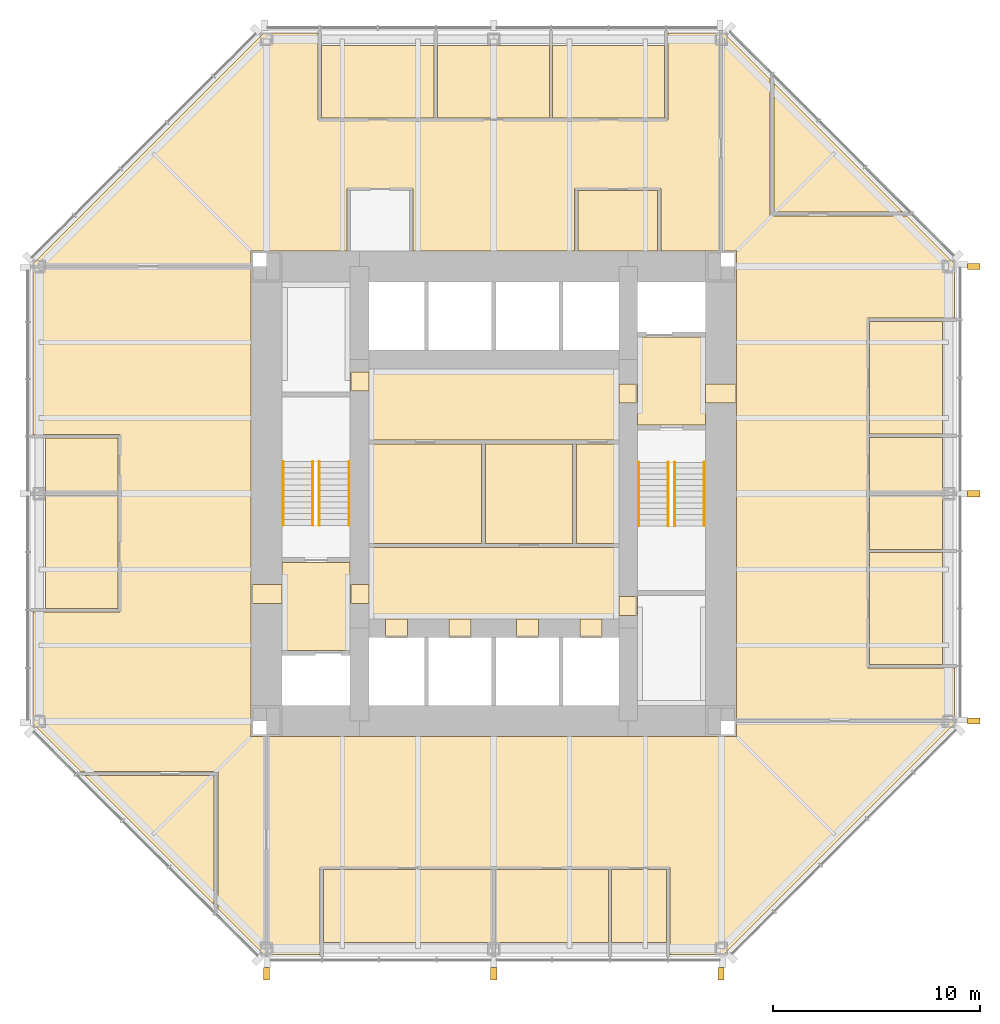
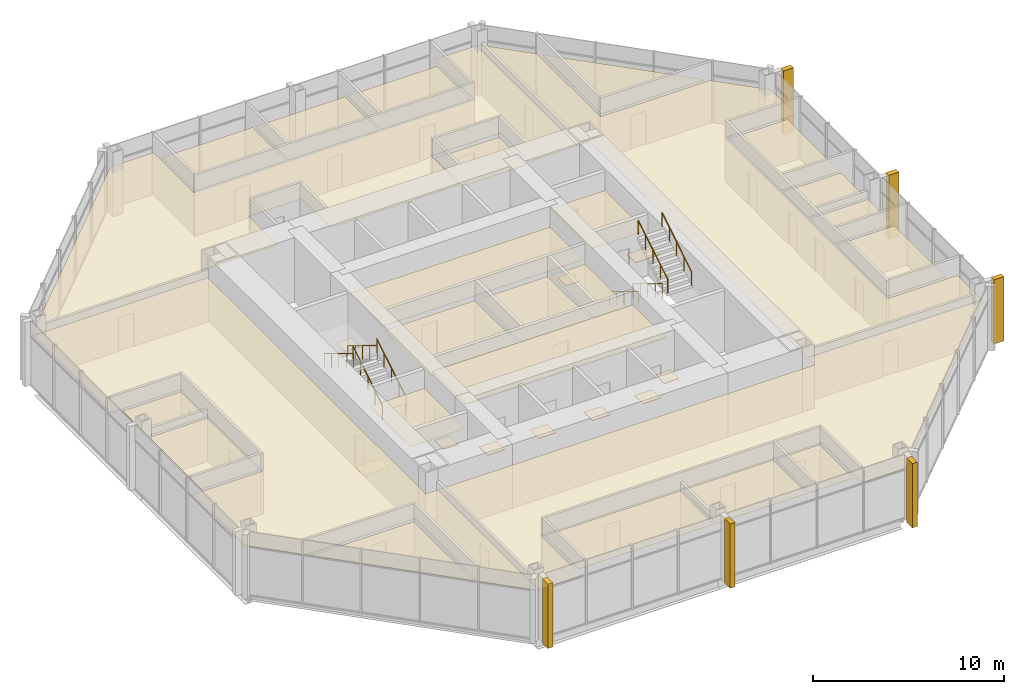
# One storey, part 12 of 12: 42 coverings, 8 railings.
"""IFC4 building model written with IfcOpenShell, lengths in metres."""

from ifc_helpers import new_model, si_unit, direction, frame, origin, origin_2d, place, context, subcontext, project, spatial, polyline, rectangle, circle, outline, extrude, material, layer, layer_set, type_object, element, save


model = new_model("IFC4")

# Units and contexts
model_context = context("Model", 3, precision=1e-05, world=origin(), true_north=direction((0.0, 1.0)))
body_context = subcontext(model_context, "Body", "Model", "MODEL_VIEW")
ifc_project = project(units=[si_unit("LENGTHUNIT", "METRE"), si_unit("AREAUNIT", "SQUARE_METRE"), si_unit("VOLUMEUNIT", "CUBIC_METRE"), si_unit("PLANEANGLEUNIT", "RADIAN"), si_unit("MASSUNIT", "GRAM", prefix="KILO")], contexts=[model_context])

# Site, building, storey
site_placement = place(None, origin())
site = spatial("IfcSite", under=ifc_project, at=site_placement, CompositionType="ELEMENT")
building_placement = place(site_placement, origin())
building = spatial("IfcBuilding", under=site, at=building_placement, Name="Trevanion Tower", CompositionType="ELEMENT")
storey_placement = place(building_placement, frame((0.0, 0.0, 154.10009765625)))
storey = spatial("IfcBuildingStorey", under=building, at=storey_placement, Name="L36", CompositionType="ELEMENT", Elevation=154.10009765625)

# Coverings
ifc_material_1 = material(Name="Fibrous plaster coffers on suspended steel grid", Category="steel")
ifc_layer_1 = layer(ifc_material_1, 0.050048828125)
ifc_layer_set_1 = layer_set([ifc_layer_1], Name="CL1 coffered fibrous plaster ceiling 50")
covering_type_1 = type_object("IfcCoveringType", Name="CL1 coffered fibrous plaster ceiling 50", PredefinedType="CEILING", material=ifc_layer_set_1)
covering_1_placement = place(storey_placement, frame((0.0, 0.0, 3.0)))
element("IfcCovering", 1, at=covering_1_placement, inside=storey, type_object=covering_type_1, Name="CL1 L36-LBS", PredefinedType="CEILING", context=body_context, shape_type="SweptSolid", body=[
    extrude(outline(polyline([(6.050048828125, -6.050048828125), (6.050048828125, -2.60009765625), (-6.050048828125, -2.60009765625), (-6.050048828125, -6.050048828125), (6.050048828125, -6.050048828125)])), origin(), (0.0, 0.0, 1.0), 0.0498046875),
])
ifc_material_2 = material(Name="Mineral fibre acoustic tiles in exposed grid", Category="mineral fibre")
ifc_layer_2 = layer(ifc_material_2, 0.02001953125)
ifc_layer_set_2 = layer_set([ifc_layer_2], Name="CL2 acoustic tile ceiling 20")
covering_type_2 = type_object("IfcCoveringType", Name="CL2 acoustic tile ceiling 20", PredefinedType="CEILING", material=ifc_layer_set_2)
covering_2_placement = place(storey_placement, frame((0.0, 0.0, 2.75)))
element("IfcCovering", 2, at=covering_2_placement, inside=storey, type_object=covering_type_2, Name="CL2 L36-LBN", PredefinedType="CEILING", context=body_context, shape_type="SweptSolid", body=[
    extrude(outline(polyline([(6.050048828125, 2.60009765625), (6.050048828125, 6.050048828125), (-6.050048828125, 6.050048828125), (-6.050048828125, 2.60009765625), (6.050048828125, 2.60009765625)])), origin(), (0.0, 0.0, 1.0), 0.02001953125),
])
covering_3_placement = place(storey_placement, frame((0.0, 0.0, 2.75)))
element("IfcCovering", 3, at=covering_3_placement, inside=storey, type_object=covering_type_2, Name="CL2 L36-MR", PredefinedType="CEILING", context=body_context, shape_type="SweptSolid", body=[
    extrude(outline(polyline([(13.549072265625, 19.875244140625), (19.783203125, 13.64111328125), (13.549072265625, 13.64111328125), (13.549072265625, 19.875244140625)])), origin(), (0.0, 0.0, 1.0), 0.02001953125),
])
covering_4_placement = place(storey_placement, frame((0.0, 0.0, 2.75)))
element("IfcCovering", 4, at=covering_4_placement, inside=storey, type_object=covering_type_2, Name="CL2 L36-MR2", PredefinedType="CEILING", context=body_context, shape_type="SweptSolid", body=[
    extrude(outline(polyline([(-13.549072265625, -19.875244140625), (-19.783203125, -13.64111328125), (-13.549072265625, -13.64111328125), (-13.549072265625, -19.875244140625)])), origin(), (0.0, 0.0, 1.0), 0.02001953125),
])
covering_5_placement = place(storey_placement, frame((0.0, 0.0, 2.75)))
element("IfcCovering", 5, at=covering_5_placement, inside=storey, type_object=covering_type_2, Name="CL2 L36-MR3", PredefinedType="CEILING", context=body_context, shape_type="SweptSolid", body=[
    extrude(outline(polyline([(8.248046875, 18.175048828125), (2.85009765625, 18.175048828125), (2.85009765625, 21.699951171875), (8.248046875, 21.699951171875), (8.248046875, 18.175048828125)])), origin(), (0.0, 0.0, 1.0), 0.02001953125),
])
covering_6_placement = place(storey_placement, frame((0.0, 0.0, 2.75)))
element("IfcCovering", 6, at=covering_6_placement, inside=storey, type_object=covering_type_2, Name="CL2 L36-MR4", PredefinedType="CEILING", context=body_context, shape_type="SweptSolid", body=[
    extrude(outline(polyline([(2.699951171875, 18.175048828125), (-2.73193359375, 18.175048828125), (-2.73193359375, 21.699951171875), (2.699951171875, 21.699951171875), (2.699951171875, 18.175048828125)])), origin(), (0.0, 0.0, 1.0), 0.02001953125),
])
covering_7_placement = place(storey_placement, frame((0.0, 0.0, 2.75)))
element("IfcCovering", 7, at=covering_7_placement, inside=storey, type_object=covering_type_2, Name="CL2 L36-MR5", PredefinedType="CEILING", context=body_context, shape_type="SweptSolid", body=[
    extrude(outline(polyline([(-2.882080078125, 18.175048828125), (-8.345947265625, 18.175048828125), (-8.345947265625, 21.699951171875), (-2.882080078125, 21.699951171875), (-2.882080078125, 18.175048828125)])), origin(), (0.0, 0.0, 1.0), 0.02001953125),
])
covering_8_placement = place(storey_placement, frame((0.0, 0.0, 2.75)))
element("IfcCovering", 8, at=covering_8_placement, inside=storey, type_object=covering_type_2, Name="CL2 L36-TR", PredefinedType="CEILING", context=body_context, shape_type="SweptSolid", body=[
    extrude(outline(polyline([(-8.248046875, -18.175048828125), (-0.074951171875, -18.175048828125), (-0.074951171875, -21.699951171875), (-8.248046875, -21.699951171875), (-8.248046875, -18.175048828125)])), origin(), (0.0, 0.0, 1.0), 0.02001953125),
])
covering_9_placement = place(storey_placement, frame((0.0, 0.0, 2.75)))
element("IfcCovering", 9, at=covering_9_placement, inside=storey, type_object=covering_type_2, Name="CL2 L36-MR6", PredefinedType="CEILING", context=body_context, shape_type="SweptSolid", body=[
    extrude(outline(polyline([(0.074951171875, -18.175048828125), (5.5390625, -18.175048828125), (5.5390625, -21.699951171875), (0.074951171875, -21.699951171875), (0.074951171875, -18.175048828125)])), origin(), (0.0, 0.0, 1.0), 0.02001953125),
])
covering_10_placement = place(storey_placement, frame((0.0, 0.0, 2.75)))
element("IfcCovering", 10, at=covering_10_placement, inside=storey, type_object=covering_type_2, Name="CL2 L36-FR", PredefinedType="CEILING", context=body_context, shape_type="SweptSolid", body=[
    extrude(outline(polyline([(5.68896484375, -18.175048828125), (8.345947265625, -18.175048828125), (8.345947265625, -21.699951171875), (5.68896484375, -21.699951171875), (5.68896484375, -18.175048828125)])), origin(), (0.0, 0.0, 1.0), 0.02001953125),
])
covering_11_placement = place(storey_placement, frame((0.0, 0.0, 2.75)))
element("IfcCovering", 11, at=covering_11_placement, inside=storey, type_object=covering_type_2, Name="CL2 L36-MR7", PredefinedType="CEILING", context=body_context, shape_type="SweptSolid", body=[
    extrude(outline(polyline([(18.175048828125, -8.248046875), (18.175048828125, -2.85009765625), (21.699951171875, -2.85009765625), (21.699951171875, -8.248046875), (18.175048828125, -8.248046875)])), origin(), (0.0, 0.0, 1.0), 0.02001953125),
])
covering_12_placement = place(storey_placement, frame((0.0, 0.0, 2.75)))
element("IfcCovering", 12, at=covering_12_placement, inside=storey, type_object=covering_type_2, Name="CL2 L36-OF", PredefinedType="CEILING", context=body_context, shape_type="SweptSolid", body=[
    extrude(outline(polyline([(18.175048828125, -2.699951171875), (18.175048828125, -0.074951171875), (21.699951171875, -0.074951171875), (21.699951171875, -2.699951171875), (18.175048828125, -2.699951171875)])), origin(), (0.0, 0.0, 1.0), 0.02001953125),
])
covering_13_placement = place(storey_placement, frame((0.0, 0.0, 2.75)))
element("IfcCovering", 13, at=covering_13_placement, inside=storey, type_object=covering_type_2, Name="CL2 L36-OF2", PredefinedType="CEILING", context=body_context, shape_type="SweptSolid", body=[
    extrude(outline(polyline([(18.175048828125, 0.074951171875), (18.175048828125, 2.73193359375), (21.699951171875, 2.73193359375), (21.699951171875, 0.074951171875), (18.175048828125, 0.074951171875)])), origin(), (0.0, 0.0, 1.0), 0.02001953125),
])
covering_14_placement = place(storey_placement, frame((0.0, 0.0, 2.75)))
element("IfcCovering", 14, at=covering_14_placement, inside=storey, type_object=covering_type_2, Name="CL2 L36-MR8", PredefinedType="CEILING", context=body_context, shape_type="SweptSolid", body=[
    extrude(outline(polyline([(18.175048828125, 2.882080078125), (18.175048828125, 8.345947265625), (21.699951171875, 8.345947265625), (21.699951171875, 2.882080078125), (18.175048828125, 2.882080078125)])), origin(), (0.0, 0.0, 1.0), 0.02001953125),
])
covering_15_placement = place(storey_placement, frame((0.0, 0.0, 2.75)))
element("IfcCovering", 15, at=covering_15_placement, inside=storey, type_object=covering_type_2, Name="CL2 L36-OF3", PredefinedType="CEILING", context=body_context, shape_type="SweptSolid", body=[
    extrude(outline(polyline([(-18.175048828125, 2.699951171875), (-18.175048828125, 0.074951171875), (-21.699951171875, 0.074951171875), (-21.699951171875, 2.699951171875), (-18.175048828125, 2.699951171875)])), origin(), (0.0, 0.0, 1.0), 0.02001953125),
])
covering_16_placement = place(storey_placement, frame((0.0, 0.0, 2.75)))
element("IfcCovering", 16, at=covering_16_placement, inside=storey, type_object=covering_type_2, Name="CL2 L36-MR9", PredefinedType="CEILING", context=body_context, shape_type="SweptSolid", body=[
    extrude(outline(polyline([(-18.175048828125, -0.074951171875), (-18.175048828125, -5.5390625), (-21.699951171875, -5.5390625), (-21.699951171875, -0.074951171875), (-18.175048828125, -0.074951171875)])), origin(), (0.0, 0.0, 1.0), 0.02001953125),
])
covering_17_placement = place(storey_placement, frame((0.0, 0.0, 2.75)))
element("IfcCovering", 17, at=covering_17_placement, inside=storey, type_object=covering_type_2, Name="CL2 L36-OP", PredefinedType="CEILING", context=body_context, shape_type="SweptSolid", body=[
    extrude(outline(polyline([(11.75, 11.75), (11.0, 11.75), (11.0, 22.300048828125), (11.124267578125, 22.300048828125), (13.35400390625, 20.0703125), (13.35400390625, 13.446044921875), (19.978271484375, 13.446044921875), (22.300048828125, 11.124267578125), (22.300048828125, 8.51611328125), (18.080078125, 8.51611328125), (18.080078125, -8.41796875), (22.300048828125, -8.41796875), (22.300048828125, -11.0), (11.75, -11.0), (11.75, 11.75)])), origin(), (0.0, 0.0, 1.0), 0.02001953125),
])
covering_18_placement = place(storey_placement, frame((0.0, 0.0, 2.75)))
element("IfcCovering", 18, at=covering_18_placement, inside=storey, type_object=covering_type_2, Name="CL2 L36-OP2", PredefinedType="CEILING", context=body_context, shape_type="SweptSolid", body=[
    extrude(outline(polyline([(8.094970703125, 11.75), (8.094970703125, 14.77001953125), (3.905029296875, 14.77001953125), (3.905029296875, 11.75), (-3.905029296875, 11.75), (-3.905029296875, 14.77001953125), (-7.094970703125, 14.77001953125), (-7.094970703125, 11.75), (-11.75, 11.75), (-11.75, 11.0), (-22.300048828125, 11.0), (-22.300048828125, 11.124267578125), (-11.124267578125, 22.300048828125), (-8.51611328125, 22.300048828125), (-8.51611328125, 18.080078125), (8.41796875, 18.080078125), (8.41796875, 22.300048828125), (11.0, 22.300048828125), (11.0, 11.75), (8.094970703125, 11.75)])), origin(), (0.0, 0.0, 1.0), 0.02001953125),
])
covering_19_placement = place(storey_placement, frame((0.0, 0.0, 2.75)))
element("IfcCovering", 19, at=covering_19_placement, inside=storey, type_object=covering_type_2, Name="CL2 L36-OP3", PredefinedType="CEILING", context=body_context, shape_type="SweptSolid", body=[
    extrude(outline(polyline([(-11.75, -11.75), (-11.0, -11.75), (-11.0, -22.300048828125), (-11.124267578125, -22.300048828125), (-13.35400390625, -20.0703125), (-13.35400390625, -13.446044921875), (-19.978271484375, -13.446044921875), (-22.300048828125, -11.124267578125), (-22.300048828125, -5.708984375), (-18.080078125, -5.708984375), (-18.080078125, 2.8701171875), (-22.300048828125, 2.8701171875), (-22.300048828125, 11.0), (-11.75, 11.0), (-11.75, -11.75)])), origin(), (0.0, 0.0, 1.0), 0.02001953125),
])
covering_20_placement = place(storey_placement, frame((0.0, 0.0, 2.75)))
element("IfcCovering", 20, at=covering_20_placement, inside=storey, type_object=covering_type_2, Name="CL2 L36-OP4", PredefinedType="CEILING", context=body_context, shape_type="SweptSolid", body=[
    extrude(outline(polyline([(11.75, -11.75), (11.75, -11.0), (22.300048828125, -11.0), (22.300048828125, -11.124267578125), (11.124267578125, -22.300048828125), (8.51611328125, -22.300048828125), (8.51611328125, -18.080078125), (-8.41796875, -18.080078125), (-8.41796875, -22.300048828125), (-11.0, -22.300048828125), (-11.0, -11.75), (11.75, -11.75)])), origin(), (0.0, 0.0, 1.0), 0.02001953125),
])
ifc_material_3 = material(Name="Gypsum plasterboard on suspended metal furring", Category="gypsum")
ifc_layer_3 = layer(ifc_material_3, 0.012939453125)
ifc_layer_set_3 = layer_set([ifc_layer_3], Name="CL3 plasterboard ceiling 13")
covering_type_3 = type_object("IfcCoveringType", Name="CL3 plasterboard ceiling 13", PredefinedType="CEILING", material=ifc_layer_set_3)
covering_21_placement = place(storey_placement, frame((0.0, 0.0, 2.699951171875)))
element("IfcCovering", 21, at=covering_21_placement, inside=storey, type_object=covering_type_3, Name="CL3 L36-FV1", PredefinedType="CEILING", context=body_context, shape_type="SweptSolid", body=[
    extrude(outline(polyline([(10.25, 3.324951171875), (10.25, 7.574951171875), (6.949951171875, 7.574951171875), (6.949951171875, 3.324951171875), (10.25, 3.324951171875)])), origin(), (0.0, 0.0, 1.0), 0.012939453125),
])
covering_22_placement = place(storey_placement, frame((0.0, 0.0, 2.699951171875)))
element("IfcCovering", 22, at=covering_22_placement, inside=storey, type_object=covering_type_3, Name="CL3 L36-FV2", PredefinedType="CEILING", context=body_context, shape_type="SweptSolid", body=[
    extrude(outline(polyline([(-10.25, -3.324951171875), (-10.25, -7.574951171875), (-6.949951171875, -7.574951171875), (-6.949951171875, -3.324951171875), (-10.25, -3.324951171875)])), origin(), (0.0, 0.0, 1.0), 0.012939453125),
])
ifc_material_4 = material(Name="Moisture-resistant gypsum board on suspended metal furring", Category="gypsum")
ifc_layer_4 = layer(ifc_material_4, 0.01611328125)
ifc_layer_set_4 = layer_set([ifc_layer_4], Name="CL4 moisture-resistant board ceiling 16")
covering_type_4 = type_object("IfcCoveringType", Name="CL4 moisture-resistant board ceiling 16", PredefinedType="CEILING", material=ifc_layer_set_4)
covering_23_placement = place(storey_placement, frame((0.0, 0.0, 2.599853515625)))
element("IfcCovering", 23, at=covering_23_placement, inside=storey, type_object=covering_type_4, Name="CL4 L36-WCM", PredefinedType="CEILING", context=body_context, shape_type="SweptSolid", body=[
    extrude(outline(polyline([(-0.60009765625, -2.39990234375), (-0.60009765625, 2.39990234375), (-6.050048828125, 2.39990234375), (-6.050048828125, -2.39990234375), (-0.60009765625, -2.39990234375)])), origin(), (0.0, 0.0, 1.0), 0.01611328125),
])
covering_24_placement = place(storey_placement, frame((0.0, 0.0, 2.599853515625)))
element("IfcCovering", 24, at=covering_24_placement, inside=storey, type_object=covering_type_4, Name="CL4 L36-WCF", PredefinedType="CEILING", context=body_context, shape_type="SweptSolid", body=[
    extrude(outline(polyline([(3.800048828125, -2.39990234375), (3.800048828125, 2.39990234375), (-0.39990234375, 2.39990234375), (-0.39990234375, -2.39990234375), (3.800048828125, -2.39990234375)])), origin(), (0.0, 0.0, 1.0), 0.01611328125),
])
covering_25_placement = place(storey_placement, frame((0.0, 0.0, 2.599853515625)))
element("IfcCovering", 25, at=covering_25_placement, inside=storey, type_object=covering_type_4, Name="CL4 L36-WCA", PredefinedType="CEILING", context=body_context, shape_type="SweptSolid", body=[
    extrude(outline(polyline([(6.050048828125, -2.39990234375), (6.050048828125, 2.39990234375), (4.0, 2.39990234375), (4.0, -2.39990234375), (6.050048828125, -2.39990234375)])), origin(), (0.0, 0.0, 1.0), 0.01611328125),
])
covering_26_placement = place(storey_placement, frame((0.0, 0.0, 2.599853515625)))
element("IfcCovering", 26, at=covering_26_placement, inside=storey, type_object=covering_type_4, Name="CL4 L36-PA", PredefinedType="CEILING", context=body_context, shape_type="SweptSolid", body=[
    extrude(outline(polyline([(4.074951171875, 14.675048828125), (7.925048828125, 14.675048828125), (7.925048828125, 11.75), (4.074951171875, 11.75), (4.074951171875, 14.675048828125)])), origin(), (0.0, 0.0, 1.0), 0.01611328125),
])
ifc_material_5 = material(Name="Cast bronze fin on aluminium carrier", Category="aluminium")
covering_type_5 = type_object("IfcCoveringType", Name="F1 bronze fin", PredefinedType="CLADDING", material=ifc_material_5)
for number, where, z_axis, x_axis, name in (
    (27, (23.22509765625, -11.0, -0.190185546875), (0.0, 0.0, 1.0), (0.0, 1.0, 0.0), "F1 L36 east -11.0"),
    (28, (23.22509765625, 0.0, -0.190185546875), (0.0, 0.0, 1.0), (0.0, 1.0, 0.0), "F1 L36 east +0.0"),
    (29, (23.22509765625, 11.0, -0.190185546875), (0.0, 0.0, 1.0), (0.0, 1.0, 0.0), "F1 L36 east +11.0"),
    (30, (-11.0, -23.22509765625, -0.190185546875), (0.0, 0.0, 1.0), (1.0, 0.0, 0.0), "F1 L36 south -11.0"),
    (31, (0.0, -23.22509765625, -0.190185546875), (0.0, 0.0, 1.0), (1.0, 0.0, 0.0), "F1 L36 south +0.0"),
    (32, (11.0, -23.22509765625, -0.190185546875), (0.0, 0.0, 1.0), (1.0, 0.0, 0.0), "F1 L36 south +11.0"),
):
    element("IfcCovering", number, at=place(storey_placement, frame(where, z_axis=z_axis, x_axis=x_axis)), inside=storey, type_object=covering_type_5, Name=name, PredefinedType="CLADDING", context=body_context, shape_type="SweptSolid", body=[
        extrude(rectangle(XDim=0.300048828125, YDim=0.60009765625, at=origin_2d()), origin(), (0.0, 0.0, 1.0), 4.10009765625),
    ])
ifc_material_6 = material(Name="Terrazzo, brass divider strips", Category="stone")
ifc_layer_5 = layer(ifc_material_6, 0.02001953125)
ifc_layer_set_5 = layer_set([ifc_layer_5], Name="FF1 terrazzo flooring")
covering_type_6 = type_object("IfcCoveringType", Name="FF1 terrazzo flooring", PredefinedType="FLOORING", material=ifc_layer_set_5)
covering_27_placement = place(storey_placement, origin())
element("IfcCovering", 33, at=covering_27_placement, inside=storey, type_object=covering_type_6, Name="FF1 threshold 36-001", PredefinedType="FLOORING", context=body_context, shape_type="SweptSolid", body=[
    extrude(outline(polyline([(11.75, 4.392578125), (11.75, 5.3076171875), (10.25, 5.3076171875), (10.25, 4.392578125), (11.75, 4.392578125)])), origin(), (0.0, 0.0, 1.0), 0.02001953125),
])
covering_28_placement = place(storey_placement, origin())
element("IfcCovering", 34, at=covering_28_placement, inside=storey, type_object=covering_type_6, Name="FF1 threshold 36-002", PredefinedType="FLOORING", context=body_context, shape_type="SweptSolid", body=[
    extrude(outline(polyline([(-11.75, -4.392578125), (-11.75, -5.3076171875), (-10.25, -5.3076171875), (-10.25, -4.392578125), (-11.75, -4.392578125)])), origin(), (0.0, 0.0, 1.0), 0.02001953125),
])
covering_29_placement = place(storey_placement, origin())
element("IfcCovering", 35, at=covering_29_placement, inside=storey, type_object=covering_type_6, Name="FF1 threshold 36-003", PredefinedType="FLOORING", context=body_context, shape_type="SweptSolid", body=[
    extrude(outline(polyline([(6.949951171875, 4.392578125), (6.949951171875, 5.3076171875), (6.050048828125, 5.3076171875), (6.050048828125, 4.392578125), (6.949951171875, 4.392578125)])), origin(), (0.0, 0.0, 1.0), 0.02001953125),
])
covering_30_placement = place(storey_placement, origin())
element("IfcCovering", 36, at=covering_30_placement, inside=storey, type_object=covering_type_6, Name="FF1 threshold 36-004", PredefinedType="FLOORING", context=body_context, shape_type="SweptSolid", body=[
    extrude(outline(polyline([(-6.949951171875, -4.392578125), (-6.949951171875, -5.3076171875), (-6.050048828125, -5.3076171875), (-6.050048828125, -4.392578125), (-6.949951171875, -4.392578125)])), origin(), (0.0, 0.0, 1.0), 0.02001953125),
])
covering_31_placement = place(storey_placement, origin())
element("IfcCovering", 37, at=covering_31_placement, inside=storey, type_object=covering_type_6, Name="FF1 threshold 36-009", PredefinedType="FLOORING", context=body_context, shape_type="SweptSolid", body=[
    extrude(outline(polyline([(6.949951171875, -5.889892578125), (6.949951171875, -4.97509765625), (6.050048828125, -4.97509765625), (6.050048828125, -5.889892578125), (6.949951171875, -5.889892578125)])), origin(), (0.0, 0.0, 1.0), 0.02001953125),
])
covering_32_placement = place(storey_placement, origin())
element("IfcCovering", 38, at=covering_32_placement, inside=storey, type_object=covering_type_6, Name="FF1 threshold 36-010", PredefinedType="FLOORING", context=body_context, shape_type="SweptSolid", body=[
    extrude(outline(polyline([(-6.949951171875, 5.889892578125), (-6.949951171875, 4.97509765625), (-6.050048828125, 4.97509765625), (-6.050048828125, 5.889892578125), (-6.949951171875, 5.889892578125)])), origin(), (0.0, 0.0, 1.0), 0.02001953125),
])
covering_33_placement = place(storey_placement, origin())
element("IfcCovering", 39, at=covering_33_placement, inside=storey, type_object=covering_type_6, Name="FF1 threshold 36-011", PredefinedType="FLOORING", context=body_context, shape_type="SweptSolid", body=[
    extrude(outline(polyline([(-5.2333984375, -6.949951171875), (-4.16650390625, -6.949951171875), (-4.16650390625, -6.050048828125), (-5.2333984375, -6.050048828125), (-5.2333984375, -6.949951171875)])), origin(), (0.0, 0.0, 1.0), 0.02001953125),
])
covering_34_placement = place(storey_placement, origin())
element("IfcCovering", 40, at=covering_34_placement, inside=storey, type_object=covering_type_6, Name="FF1 threshold 36-012", PredefinedType="FLOORING", context=body_context, shape_type="SweptSolid", body=[
    extrude(outline(polyline([(-2.158447265625, -6.949951171875), (-1.091552734375, -6.949951171875), (-1.091552734375, -6.050048828125), (-2.158447265625, -6.050048828125), (-2.158447265625, -6.949951171875)])), origin(), (0.0, 0.0, 1.0), 0.02001953125),
])
covering_35_placement = place(storey_placement, origin())
element("IfcCovering", 41, at=covering_35_placement, inside=storey, type_object=covering_type_6, Name="FF1 threshold 36-013", PredefinedType="FLOORING", context=body_context, shape_type="SweptSolid", body=[
    extrude(outline(polyline([(1.091552734375, -6.949951171875), (2.158447265625, -6.949951171875), (2.158447265625, -6.050048828125), (1.091552734375, -6.050048828125), (1.091552734375, -6.949951171875)])), origin(), (0.0, 0.0, 1.0), 0.02001953125),
])
covering_36_placement = place(storey_placement, origin())
element("IfcCovering", 42, at=covering_36_placement, inside=storey, type_object=covering_type_6, Name="FF1 threshold 36-014", PredefinedType="FLOORING", context=body_context, shape_type="SweptSolid", body=[
    extrude(outline(polyline([(4.16650390625, -6.949951171875), (5.2333984375, -6.949951171875), (5.2333984375, -6.050048828125), (4.16650390625, -6.050048828125), (4.16650390625, -6.949951171875)])), origin(), (0.0, 0.0, 1.0), 0.02001953125),
])

# Railings
ifc_material_7 = material(Name="Stainless steel tube 40 mm", Category="steel")
railing_type = type_object("IfcRailingType", Name="HR1 handrail", PredefinedType="HANDRAIL", material=ifc_material_7)
for number, where, name in (
    (43, (7.010009765625, 1.52490234375, 0.170654296875), "HR1 ST1 L36 flight 1"),
    (44, (8.43994140625, 1.52490234375, 0.170654296875), "HR1 ST1 L36 flight 1"),
):
    element("IfcRailing", number, at=place(storey_placement, frame(where)), inside=storey, type_object=railing_type, Name=name, PredefinedType="HANDRAIL", context=body_context, shape_type="SweptSolid", body=[
        extrude(circle(Radius=0.02001953125, at=origin_2d()), frame((0.0, 0.0, 0.8798828125), z_axis=(0.0, -0.853647949592, 0.520850437417), x_axis=(1.0, 0.0, 0.0)), (0.0, 0.0, 1.0), 3.60791015625),
        extrude(circle(Radius=0.01513671875, at=origin_2d()), origin(), (0.0, 0.0, 1.0), 0.85986328125),
        extrude(circle(Radius=0.01513671875, at=origin_2d()), frame((0.0, -0.77001953125, 0.4697265625)), (0.0, 0.0, 1.0), 0.85986328125),
        extrude(circle(Radius=0.01513671875, at=origin_2d()), frame((0.0, -1.5400390625, 0.939453125)), (0.0, 0.0, 1.0), 0.85986328125),
        extrude(circle(Radius=0.01513671875, at=origin_2d()), frame((0.0, -2.309814453125, 1.409423828125)), (0.0, 0.0, 1.0), 0.85986328125),
        extrude(circle(Radius=0.01513671875, at=origin_2d()), frame((0.0, -3.079833984375, 1.879150390625)), (0.0, 0.0, 1.0), 0.85986328125),
    ])
for number, where, name in (
    (45, (8.760009765625, -1.554931640625, 2.220703125), "HR1 ST1 L36 flight 2"),
    (46, (10.18994140625, -1.554931640625, 2.220703125), "HR1 ST1 L36 flight 2"),
    (47, (-7.010009765625, -1.52490234375, 0.170654296875), "HR1 ST2 L36 flight 1"),
    (48, (-8.43994140625, -1.52490234375, 0.170654296875), "HR1 ST2 L36 flight 1"),
):
    element("IfcRailing", number, at=place(storey_placement, frame(where)), inside=storey, type_object=railing_type, Name=name, PredefinedType="HANDRAIL", context=body_context, shape_type="SweptSolid", body=[
        extrude(circle(Radius=0.02001953125, at=origin_2d()), frame((0.0, 0.0, 0.8798828125), z_axis=(0.0, 0.853647949592, 0.520850437417), x_axis=(-1.0, 0.0, 0.0)), (0.0, 0.0, 1.0), 3.60791015625),
        extrude(circle(Radius=0.01513671875, at=origin_2d()), origin(), (0.0, 0.0, 1.0), 0.85986328125),
        extrude(circle(Radius=0.01513671875, at=origin_2d()), frame((0.0, 0.77001953125, 0.4697265625)), (0.0, 0.0, 1.0), 0.85986328125),
        extrude(circle(Radius=0.01513671875, at=origin_2d()), frame((0.0, 1.5400390625, 0.939453125)), (0.0, 0.0, 1.0), 0.85986328125),
        extrude(circle(Radius=0.01513671875, at=origin_2d()), frame((0.0, 2.309814453125, 1.409423828125)), (0.0, 0.0, 1.0), 0.85986328125),
        extrude(circle(Radius=0.01513671875, at=origin_2d()), frame((0.0, 3.079833984375, 1.879150390625)), (0.0, 0.0, 1.0), 0.85986328125),
    ])
for number, where, name in (
    (49, (-8.760009765625, 1.554931640625, 2.220703125), "HR1 ST2 L36 flight 2"),
    (50, (-10.18994140625, 1.554931640625, 2.220703125), "HR1 ST2 L36 flight 2"),
):
    element("IfcRailing", number, at=place(storey_placement, frame(where)), inside=storey, type_object=railing_type, Name=name, PredefinedType="HANDRAIL", context=body_context, shape_type="SweptSolid", body=[
        extrude(circle(Radius=0.02001953125, at=origin_2d()), frame((0.0, 0.0, 0.8798828125), z_axis=(0.0, -0.853647949592, 0.520850437417), x_axis=(1.0, 0.0, 0.0)), (0.0, 0.0, 1.0), 3.60791015625),
        extrude(circle(Radius=0.01513671875, at=origin_2d()), origin(), (0.0, 0.0, 1.0), 0.85986328125),
        extrude(circle(Radius=0.01513671875, at=origin_2d()), frame((0.0, -0.77001953125, 0.4697265625)), (0.0, 0.0, 1.0), 0.85986328125),
        extrude(circle(Radius=0.01513671875, at=origin_2d()), frame((0.0, -1.5400390625, 0.939453125)), (0.0, 0.0, 1.0), 0.85986328125),
        extrude(circle(Radius=0.01513671875, at=origin_2d()), frame((0.0, -2.309814453125, 1.409423828125)), (0.0, 0.0, 1.0), 0.85986328125),
        extrude(circle(Radius=0.01513671875, at=origin_2d()), frame((0.0, -3.079833984375, 1.879150390625)), (0.0, 0.0, 1.0), 0.85986328125),
    ])

save(model, "model.ifc")
